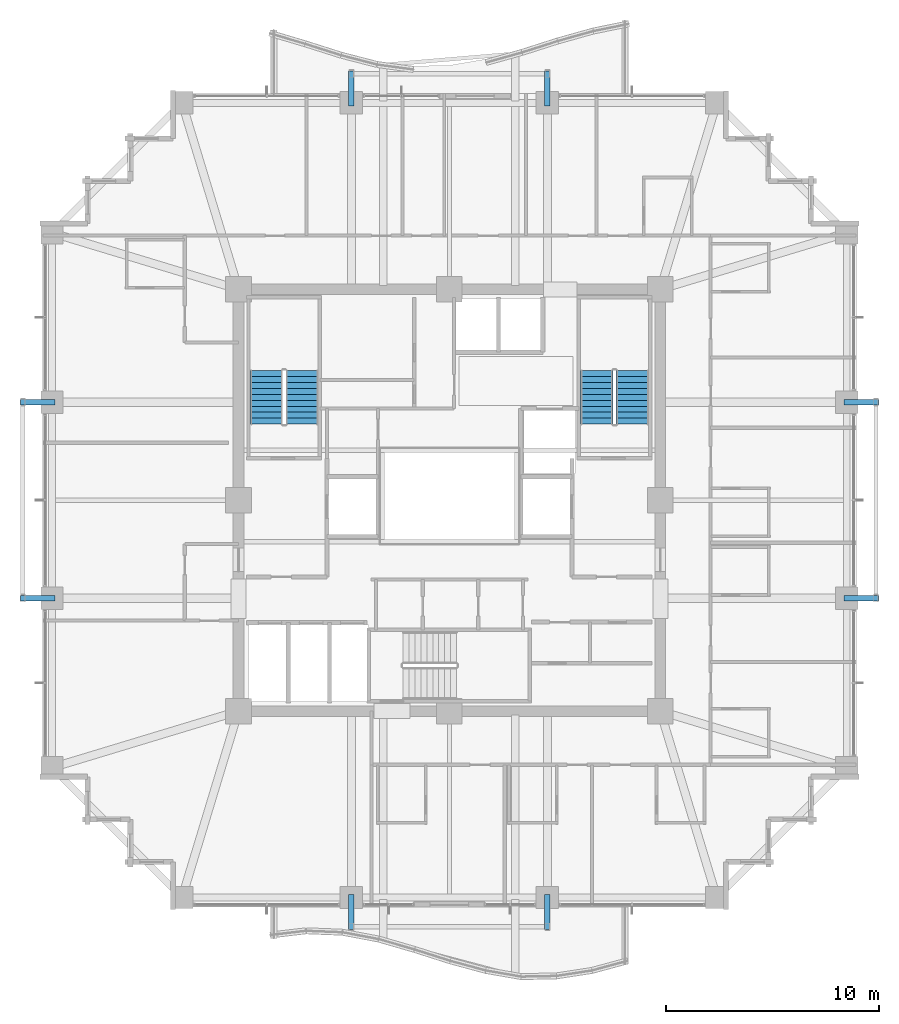
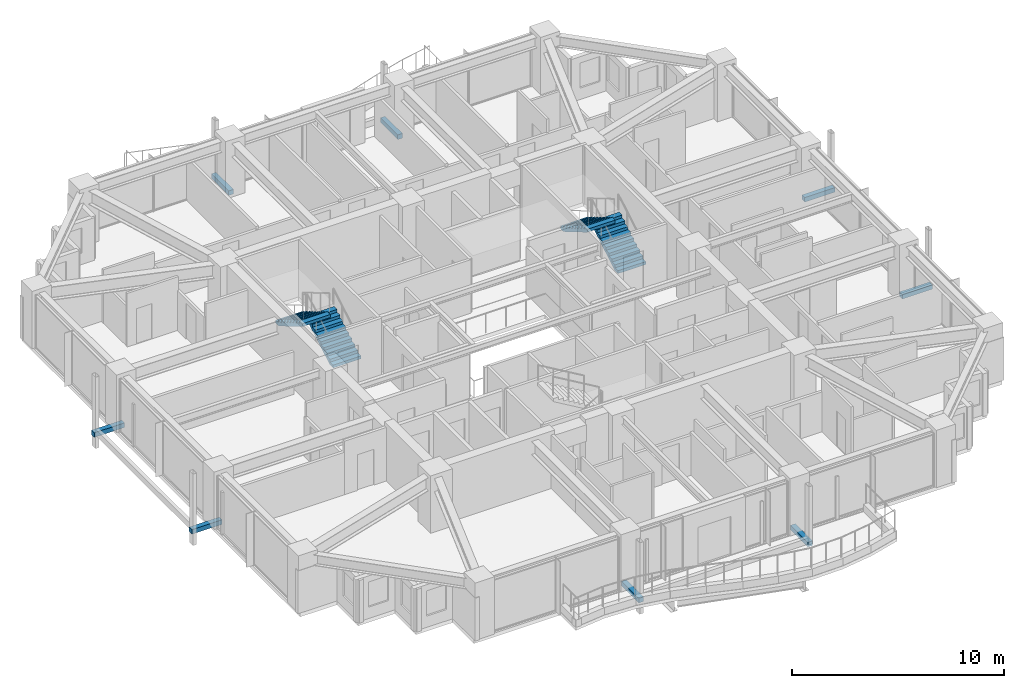
# One storey, part 32 of 34: 8 discrete accessories, 4 stair flights, 2 elements without a shape of their own.
"""IFC4 building model written with IfcOpenShell, lengths in metres."""

from ifc_helpers import new_model, si_unit, direction, frame, origin, origin_2d, place, context, subcontext, project, spatial, polyline, rectangle, outline, extrude, material, type_object, element, aggregate, save


model = new_model("IFC4")

# Units and contexts
model_context = context("Model", 3, precision=1e-05, world=origin(), true_north=direction((0.0, 1.0)))
body_context = subcontext(model_context, "Body", "Model", "MODEL_VIEW")
ifc_project = project(units=[si_unit("LENGTHUNIT", "METRE"), si_unit("AREAUNIT", "SQUARE_METRE"), si_unit("VOLUMEUNIT", "CUBIC_METRE"), si_unit("PLANEANGLEUNIT", "RADIAN"), si_unit("MASSUNIT", "GRAM", prefix="KILO")], contexts=[model_context])

# Site, building, storey
site_placement = place(None, origin())
site = spatial("IfcSite", under=ifc_project, at=site_placement, CompositionType="ELEMENT")
building_placement = place(site_placement, origin())
building = spatial("IfcBuilding", under=site, at=building_placement, Name="Kolvaren Belvedere", CompositionType="ELEMENT")
storey_placement = place(building_placement, frame((0.0, 0.0, 111.800048828125)))
storey = spatial("IfcBuildingStorey", under=building, at=storey_placement, Name="L32", CompositionType="ELEMENT", Elevation=111.800048828125)

# Stair, stair flights
ifc_material_1 = material(Name="Concrete C50/60", Category="concrete")
stair_type = type_object("IfcStairType", Name="ST-CORE-1520", PredefinedType="HALF_TURN_STAIR", material=ifc_material_1)
stair_1_placement = place(storey_placement, origin())
stair_1 = element("IfcStair", 1, at=stair_1_placement, inside=storey, type_object=stair_type, Name="L32 Protected Exit Stair ST-1", PredefinedType="HALF_TURN_STAIR")
ifc_material_2 = material(Name="Concrete C50/60", Category="concrete")
stair_flight_type = type_object("IfcStairFlightType", Name="SF-STR-1520", PredefinedType="STRAIGHT", material=ifc_material_2)
stair_flight_1_placement = place(storey_placement, frame((-6.919921875, 3.570068359375, 0.0), z_axis=(0.0, 0.0, 1.0), x_axis=(0.0, 1.0, 0.0)))
stair_flight_1 = element("IfcStairFlight", 2, at=stair_flight_1_placement, type_object=stair_flight_type, Name="ST-1 flight 1", NumberOfRisers=10, NumberOfTreads=9, PredefinedType="STRAIGHT", RiserHeight=0.165, TreadLength=0.28, context=body_context, shape_type="SweptSolid", body=[
    extrude(outline(polyline([(0.0, 0.0), (0.0, 0.1650390625), (0.280029296875, 0.1650390625), (0.280029296875, 0.330078125), (0.56005859375, 0.330078125), (0.56005859375, 0.4951171875), (0.840087890625, 0.4951171875), (0.840087890625, 0.659912109375), (1.1201171875, 0.659912109375), (1.1201171875, 0.824951171875), (1.39990234375, 0.824951171875), (1.39990234375, 0.989990234375), (1.679931640625, 0.989990234375), (1.679931640625, 1.155029296875), (1.9599609375, 1.155029296875), (1.9599609375, 1.320068359375), (2.239990234375, 1.320068359375), (2.239990234375, 1.485107421875), (2.52001953125, 1.485107421875), (2.52001953125, 1.64990234375), (2.52001953125, 1.31103515625), (0.295166015625, 0.0), (0.0, 0.0)])), frame((0.0, 0.760009765625, 0.0), z_axis=(0.0, -1.0, 0.0), x_axis=(1.0, 0.0, 0.0)), (0.0, 0.0, 1.0), 1.52001953125),
])
stair_flight_2_placement = place(storey_placement, frame((-8.590087890625, 6.090087890625, 1.64990234375), z_axis=(0.0, 0.0, 1.0), x_axis=(0.0, -1.0, 0.0)))
stair_flight_2 = element("IfcStairFlight", 3, at=stair_flight_2_placement, type_object=stair_flight_type, Name="ST-1 flight 2", NumberOfRisers=10, NumberOfTreads=9, PredefinedType="STRAIGHT", RiserHeight=0.165, TreadLength=0.28, context=body_context, shape_type="SweptSolid", body=[
    extrude(outline(polyline([(0.0, 0.0), (0.0, 0.1650390625), (0.280029296875, 0.1650390625), (0.280029296875, 0.330078125), (0.56005859375, 0.330078125), (0.56005859375, 0.4951171875), (0.840087890625, 0.4951171875), (0.840087890625, 0.659912109375), (1.1201171875, 0.659912109375), (1.1201171875, 0.824951171875), (1.39990234375, 0.824951171875), (1.39990234375, 0.989990234375), (1.679931640625, 0.989990234375), (1.679931640625, 1.155029296875), (1.9599609375, 1.155029296875), (1.9599609375, 1.320068359375), (2.239990234375, 1.320068359375), (2.239990234375, 1.485107421875), (2.52001953125, 1.485107421875), (2.52001953125, 1.64990234375), (2.52001953125, 1.31103515625), (0.295166015625, 0.0), (0.0, 0.0)])), frame((0.0, 0.760009765625, 0.0), z_axis=(0.0, -1.0, 0.0), x_axis=(1.0, 0.0, 0.0)), (0.0, 0.0, 1.0), 1.52001953125),
])
aggregate(stair_1, [stair_flight_1, stair_flight_2])

stair_2_placement = place(storey_placement, origin())
stair_2 = element("IfcStair", 4, at=stair_2_placement, inside=storey, type_object=stair_type, Name="L32 Protected Exit Stair ST-2", PredefinedType="HALF_TURN_STAIR")
stair_flight_3_placement = place(storey_placement, frame((8.590087890625, 3.570068359375, 0.0), z_axis=(0.0, 0.0, 1.0), x_axis=(0.0, 1.0, 0.0)))
stair_flight_3 = element("IfcStairFlight", 5, at=stair_flight_3_placement, type_object=stair_flight_type, Name="ST-2 flight 1", NumberOfRisers=10, NumberOfTreads=9, PredefinedType="STRAIGHT", RiserHeight=0.165, TreadLength=0.28, context=body_context, shape_type="SweptSolid", body=[
    extrude(outline(polyline([(0.0, 0.0), (0.0, 0.1650390625), (0.280029296875, 0.1650390625), (0.280029296875, 0.330078125), (0.56005859375, 0.330078125), (0.56005859375, 0.4951171875), (0.840087890625, 0.4951171875), (0.840087890625, 0.659912109375), (1.1201171875, 0.659912109375), (1.1201171875, 0.824951171875), (1.39990234375, 0.824951171875), (1.39990234375, 0.989990234375), (1.679931640625, 0.989990234375), (1.679931640625, 1.155029296875), (1.9599609375, 1.155029296875), (1.9599609375, 1.320068359375), (2.239990234375, 1.320068359375), (2.239990234375, 1.485107421875), (2.52001953125, 1.485107421875), (2.52001953125, 1.64990234375), (2.52001953125, 1.31103515625), (0.295166015625, 0.0), (0.0, 0.0)])), frame((0.0, 0.760009765625, 0.0), z_axis=(0.0, -1.0, 0.0), x_axis=(1.0, 0.0, 0.0)), (0.0, 0.0, 1.0), 1.52001953125),
])
stair_flight_4_placement = place(storey_placement, frame((6.919921875, 6.090087890625, 1.64990234375), z_axis=(0.0, 0.0, 1.0), x_axis=(0.0, -1.0, 0.0)))
stair_flight_4 = element("IfcStairFlight", 6, at=stair_flight_4_placement, type_object=stair_flight_type, Name="ST-2 flight 2", NumberOfRisers=10, NumberOfTreads=9, PredefinedType="STRAIGHT", RiserHeight=0.165, TreadLength=0.28, context=body_context, shape_type="SweptSolid", body=[
    extrude(outline(polyline([(0.0, 0.0), (0.0, 0.1650390625), (0.280029296875, 0.1650390625), (0.280029296875, 0.330078125), (0.56005859375, 0.330078125), (0.56005859375, 0.4951171875), (0.840087890625, 0.4951171875), (0.840087890625, 0.659912109375), (1.1201171875, 0.659912109375), (1.1201171875, 0.824951171875), (1.39990234375, 0.824951171875), (1.39990234375, 0.989990234375), (1.679931640625, 0.989990234375), (1.679931640625, 1.155029296875), (1.9599609375, 1.155029296875), (1.9599609375, 1.320068359375), (2.239990234375, 1.320068359375), (2.239990234375, 1.485107421875), (2.52001953125, 1.485107421875), (2.52001953125, 1.64990234375), (2.52001953125, 1.31103515625), (0.295166015625, 0.0), (0.0, 0.0)])), frame((0.0, 0.760009765625, 0.0), z_axis=(0.0, -1.0, 0.0), x_axis=(1.0, 0.0, 0.0)), (0.0, 0.0, 1.0), 1.52001953125),
])
aggregate(stair_2, [stair_flight_3, stair_flight_4])

# Discrete accessories
ifc_material_3 = material(Name="Structural steel ASTM A572 Grade 50", Category="steel")
discrete_accessory_type = type_object("IfcDiscreteAccessoryType", Name="BRK-1 Steel Facade Support Bracket", PredefinedType="BRACKET", material=ifc_material_3)
for number, where, z_axis, x_axis, name in (
    (7, (-4.60009765625, 19.3349609375, -0.169921875), (0.0, 0.0, 1.0), (0.0, 1.0, 0.0), "L32 Picture-Frame Outrigger Cleat Bracket N1"),
    (8, (4.60009765625, 19.3349609375, -0.169921875), (0.0, 0.0, 1.0), (0.0, 1.0, 0.0), "L32 Picture-Frame Outrigger Cleat Bracket N2"),
    (9, (4.60009765625, -19.3349609375, -0.169921875), (0.0, 0.0, 1.0), (0.0, 1.0, 0.0), "L32 Picture-Frame Outrigger Cleat Bracket S1"),
    (10, (-4.60009765625, -19.3349609375, -0.169921875), (0.0, 0.0, 1.0), (0.0, 1.0, 0.0), "L32 Picture-Frame Outrigger Cleat Bracket S2"),
    (11, (19.3349609375, 4.60009765625, -0.169921875), (0.0, 0.0, 1.0), (1.0, 0.0, 0.0), "L32 Picture-Frame Outrigger Cleat Bracket E1"),
    (12, (19.3349609375, -4.60009765625, -0.169921875), (0.0, 0.0, 1.0), (1.0, 0.0, 0.0), "L32 Picture-Frame Outrigger Cleat Bracket E2"),
    (13, (-19.3349609375, -4.60009765625, -0.169921875), (0.0, 0.0, 1.0), (1.0, 0.0, 0.0), "L32 Picture-Frame Outrigger Cleat Bracket W1"),
    (14, (-19.3349609375, 4.60009765625, -0.169921875), (0.0, 0.0, 1.0), (1.0, 0.0, 0.0), "L32 Picture-Frame Outrigger Cleat Bracket W2"),
):
    element("IfcDiscreteAccessory", number, at=place(storey_placement, frame(where, z_axis=z_axis, x_axis=x_axis)), inside=storey, type_object=discrete_accessory_type, Name=name, PredefinedType="BRACKET", context=body_context, shape_type="SweptSolid", body=[
        extrude(rectangle(XDim=1.639892578125, YDim=0.260009765625, at=origin_2d()), origin(), (0.0, 0.0, 1.0), 0.260009765625),
    ])

save(model, "model.ifc")
